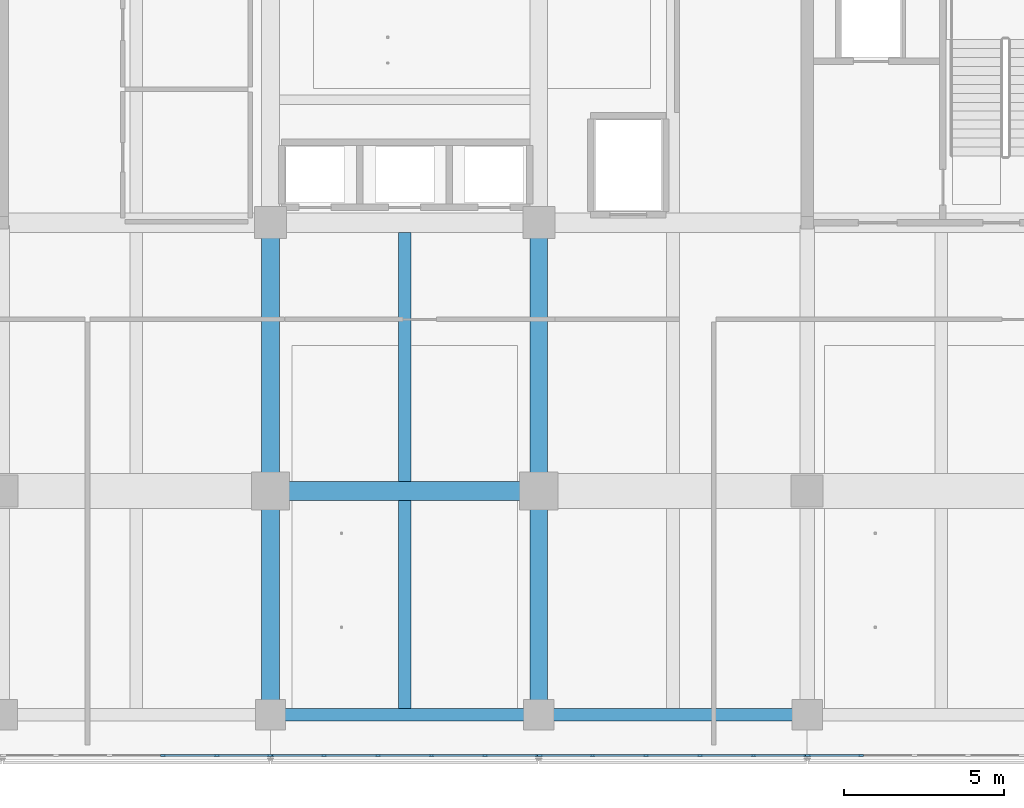
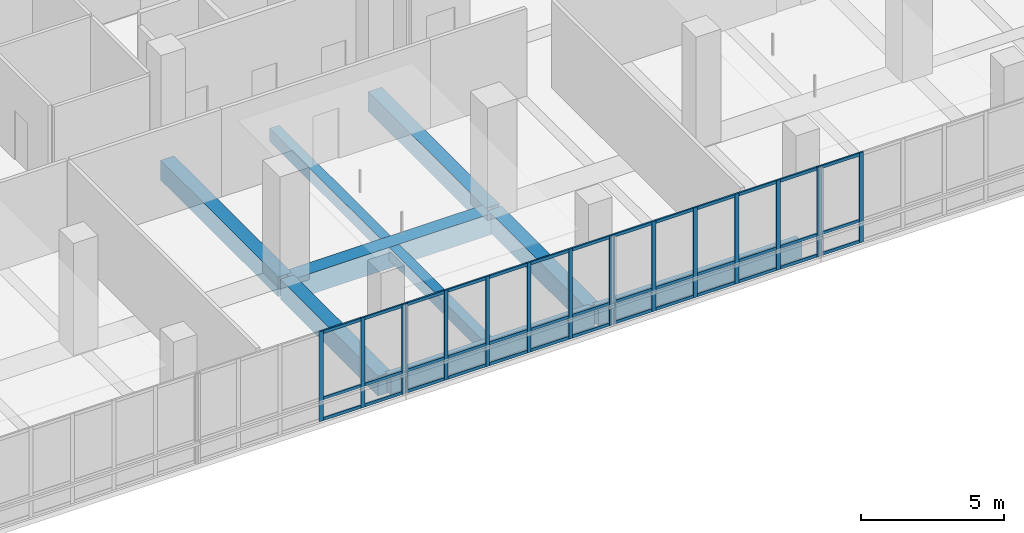
# One storey, part 17 of 122: 56 members, 9 beams, 4 elements without a shape of their own.
"""IFC4 building model written with IfcOpenShell, lengths in metres."""

from ifc_helpers import new_model, si_unit, direction, frame, origin, origin_2d, place, context, subcontext, project, spatial, rectangle, extrude, material, layer, layer_set, material_profile, profile_set, type_object, element, aggregate, save


model = new_model("IFC4")

# Units and contexts
model_context = context("Model", 3, precision=1e-05, world=origin(), true_north=direction((0.0, 1.0)))
body_context = subcontext(model_context, "Body", "Model", "MODEL_VIEW")
ifc_project = project(units=[si_unit("LENGTHUNIT", "METRE"), si_unit("AREAUNIT", "SQUARE_METRE"), si_unit("VOLUMEUNIT", "CUBIC_METRE"), si_unit("PLANEANGLEUNIT", "RADIAN"), si_unit("MASSUNIT", "GRAM", prefix="KILO")], contexts=[model_context])

# Site, building, storey
site_placement = place(None, origin())
site = spatial("IfcSite", under=ifc_project, at=site_placement, CompositionType="ELEMENT")
building_placement = place(site_placement, origin())
building = spatial("IfcBuilding", under=site, at=building_placement, Name="Telukmera Botanical Conservatory", CompositionType="ELEMENT")
storey_placement = place(building_placement, frame((0.0, 0.0, 10.199951171875)))
storey = spatial("IfcBuildingStorey", under=building, at=storey_placement, Name="L02", CompositionType="ELEMENT", Elevation=10.199951171875)

# Beams
ifc_material_1 = material(Name="Concrete C40/50", Category="concrete")
ifc_material_profile_1 = material_profile(ifc_material_1, rectangle(XDim=0.39990234375, YDim=0.550048828125, at=origin_2d()), Name="RC 400x550")
ifc_profile_set_1 = profile_set([ifc_material_profile_1], Name="Concrete C40/50")
beam_type_1 = type_object("IfcBeamType", Name="Beam_B19", PredefinedType="JOIST", material=ifc_profile_set_1)
beam_1_placement = place(storey_placement, frame((79.800048828125, 10.800048828125, -0.27490234375), z_axis=(0.0, 1.0, 0.0), x_axis=(-1.0, 0.0, 0.0)))
element("IfcBeam", 1, at=beam_1_placement, inside=storey, type_object=beam_type_1, Name="Tower Secondary Floor Joist L02", PredefinedType="JOIST", context=body_context, shape_type="SweptSolid", body=[
    extrude(rectangle(XDim=0.39990234375, YDim=0.550048828125, at=origin_2d()), origin(), (0.0, 0.0, 1.0), 6.5),
])
beam_2_placement = place(storey_placement, frame((79.800048828125, 17.89990234375, -0.27490234375), z_axis=(0.0, 1.0, 0.0), x_axis=(-1.0, 0.0, 0.0)))
element("IfcBeam", 2, at=beam_2_placement, inside=storey, type_object=beam_type_1, Name="Tower Secondary Floor Joist L02", PredefinedType="JOIST", context=body_context, shape_type="SweptSolid", body=[
    extrude(rectangle(XDim=0.39990234375, YDim=0.550048828125, at=origin_2d()), origin(), (0.0, 0.0, 1.0), 7.800048828125),
])
ifc_material_profile_2 = material_profile(ifc_material_1, rectangle(XDim=0.60009765625, YDim=0.89990234375, at=origin_2d()), Name="RC 600x900")
ifc_profile_set_2 = profile_set([ifc_material_profile_2], Name="Concrete C40/50")
beam_type_2 = type_object("IfcBeamType", Name="Beam_B3", PredefinedType="BEAM", material=ifc_profile_set_2)
beam_3_placement = place(storey_placement, frame((75.679931640625, 17.60009765625, -0.449951171875), z_axis=(1.0, 0.0, 0.0), x_axis=(0.0, 1.0, 0.0)))
element("IfcBeam", 3, at=beam_3_placement, inside=storey, type_object=beam_type_2, Name="Tower Grid Beam L02", PredefinedType="BEAM", context=body_context, shape_type="SweptSolid", body=[
    extrude(rectangle(XDim=0.60009765625, YDim=0.89990234375, at=origin_2d()), origin(), (0.0, 0.0, 1.0), 8.239990234375),
])
ifc_material_profile_3 = material_profile(ifc_material_1, rectangle(XDim=0.550048828125, YDim=0.85009765625, at=origin_2d()), Name="RC 550x850")
ifc_profile_set_3 = profile_set([ifc_material_profile_3], Name="Concrete C40/50")
beam_type_3 = type_object("IfcBeamType", Name="Beam_B4", PredefinedType="BEAM", material=ifc_profile_set_3)
beam_4_placement = place(storey_placement, frame((75.60009765625, 10.679931640625, -0.425048828125), z_axis=(0.0, 1.0, 0.0), x_axis=(-1.0, 0.0, 0.0)))
element("IfcBeam", 4, at=beam_4_placement, inside=storey, type_object=beam_type_3, Name="Tower Transverse Beam L02", PredefinedType="BEAM", context=body_context, shape_type="SweptSolid", body=[
    extrude(rectangle(XDim=0.550048828125, YDim=0.85009765625, at=origin_2d()), origin(), (0.0, 0.0, 1.0), 6.840087890625),
])
beam_5_placement = place(storey_placement, frame((75.60009765625, 17.679931640625, -0.425048828125), z_axis=(0.0, 1.0, 0.0), x_axis=(-1.0, 0.0, 0.0)))
element("IfcBeam", 5, at=beam_5_placement, inside=storey, type_object=beam_type_3, Name="Tower Transverse Beam L02", PredefinedType="BEAM", context=body_context, shape_type="SweptSolid", body=[
    extrude(rectangle(XDim=0.550048828125, YDim=0.85009765625, at=origin_2d()), origin(), (0.0, 0.0, 1.0), 8.239990234375),
])
beam_6_placement = place(storey_placement, frame((84.0, 10.679931640625, -0.425048828125), z_axis=(0.0, 1.0, 0.0), x_axis=(-1.0, 0.0, 0.0)))
element("IfcBeam", 6, at=beam_6_placement, inside=storey, type_object=beam_type_3, Name="Tower Transverse Beam L02", PredefinedType="BEAM", context=body_context, shape_type="SweptSolid", body=[
    extrude(rectangle(XDim=0.550048828125, YDim=0.85009765625, at=origin_2d()), origin(), (0.0, 0.0, 1.0), 6.840087890625),
])
beam_7_placement = place(storey_placement, frame((84.0, 17.679931640625, -0.425048828125), z_axis=(0.0, 1.0, 0.0), x_axis=(-1.0, 0.0, 0.0)))
element("IfcBeam", 7, at=beam_7_placement, inside=storey, type_object=beam_type_3, Name="Tower Transverse Beam L02", PredefinedType="BEAM", context=body_context, shape_type="SweptSolid", body=[
    extrude(rectangle(XDim=0.550048828125, YDim=0.85009765625, at=origin_2d()), origin(), (0.0, 0.0, 1.0), 8.239990234375),
])
ifc_material_2 = material(Name="Precast concrete C40/50", Category="concrete")
ifc_material_profile_4 = material_profile(ifc_material_2, rectangle(XDim=0.39990234375, YDim=0.75, at=origin_2d()), Name="PC 400x750")
ifc_profile_set_4 = profile_set([ifc_material_profile_4], Name="Precast concrete C40/50")
beam_type_4 = type_object("IfcBeamType", Name="Beam_SP1", PredefinedType="SPANDREL", material=ifc_profile_set_4)
for number, where, z_axis, x_axis, name in (
    (8, (75.679931640625, 10.60009765625, -0.375), (1.0, 0.0, 0.0), (0.0, 1.0, 0.0), "Tower Grid Beam L02"),
    (9, (84.080078125, 10.60009765625, -0.375), (1.0, 0.0, 0.0), (0.0, 1.0, 0.0), "Tower Grid Beam L02"),
):
    element("IfcBeam", number, at=place(storey_placement, frame(where, z_axis=z_axis, x_axis=x_axis)), inside=storey, type_object=beam_type_4, Name=name, PredefinedType="SPANDREL", context=body_context, shape_type="SweptSolid", body=[
        extrude(rectangle(XDim=0.39990234375, YDim=0.75, at=origin_2d()), origin(), (0.0, 0.0, 1.0), 8.239990234375),
    ])

# Curtain wall, members
ifc_material_3 = material(Name="Anodised aluminium 6063-T6", Category="aluminium")
ifc_layer = layer(ifc_material_3, 0.179931640625)
ifc_layer_set = layer_set([ifc_layer], Name="Anodised aluminium 6063-T6")
curtain_wall_type = type_object("IfcCurtainWallType", Name="Tower Reference Library Curtain Wall", PredefinedType="USERDEFINED", material=ifc_layer_set)
curtain_wall_1_placement = place(storey_placement, origin())
curtain_wall_1 = element("IfcCurtainWall", 10, at=curtain_wall_1_placement, inside=storey, type_object=curtain_wall_type, Name="Unitised Curtain Wall CW13 V4:L02:S3", ObjectType="UNITISED CURTAIN WALL", PredefinedType="USERDEFINED")
ifc_material_profile_5 = material_profile(ifc_material_3, rectangle(XDim=0.06494140625, YDim=0.159912109375, at=origin_2d()), Name="ALU MULL 65x160")
ifc_profile_set_5 = profile_set([ifc_material_profile_5], Name="Anodised aluminium 6063-T6")
member_type_1 = type_object("IfcMemberType", Name="Curtain Wall Extruded Mullion 65x160", PredefinedType="MULLION", material=ifc_profile_set_5)
member_1_placement = place(storey_placement, frame((72.239501953125, 9.320068359375, 0.0), z_axis=(0.0, 0.0, 1.0), x_axis=(0.0, 1.0, 0.0)))
member_1 = element("IfcMember", 11, at=member_1_placement, type_object=member_type_1, Name="CW13 mullion 4", PredefinedType="MULLION", context=body_context, shape_type="SweptSolid", body=[
    extrude(rectangle(XDim=0.06494140625, YDim=0.159912109375, at=origin_2d()), origin(), (0.0, 0.0, 1.0), 3.85009765625),
])
member_2_placement = place(storey_placement, frame((73.918701171875, 9.320068359375, 0.0), z_axis=(0.0, 0.0, 1.0), x_axis=(0.0, 1.0, 0.0)))
member_2 = element("IfcMember", 12, at=member_2_placement, type_object=member_type_1, Name="CW13 mullion 5", PredefinedType="MULLION", context=body_context, shape_type="SweptSolid", body=[
    extrude(rectangle(XDim=0.06494140625, YDim=0.159912109375, at=origin_2d()), origin(), (0.0, 0.0, 1.0), 3.85009765625),
])
member_3_placement = place(storey_placement, frame((75.5654296875, 9.320068359375, 0.0), z_axis=(0.0, 0.0, 1.0), x_axis=(0.0, 1.0, 0.0)))
member_3 = element("IfcMember", 13, at=member_3_placement, type_object=member_type_1, Name="CW13 mullion 6", PredefinedType="MULLION", context=body_context, shape_type="SweptSolid", body=[
    extrude(rectangle(XDim=0.06494140625, YDim=0.159912109375, at=origin_2d()), origin(), (0.0, 0.0, 1.0), 3.85009765625),
])

curtain_wall_2_placement = place(storey_placement, origin())
curtain_wall_2 = element("IfcCurtainWall", 14, at=curtain_wall_2_placement, inside=storey, type_object=curtain_wall_type, Name="Unitised Curtain Wall CW13 V4:L02:S4", ObjectType="UNITISED CURTAIN WALL", PredefinedType="USERDEFINED")
member_4_placement = place(storey_placement, frame((75.634521484375, 9.320068359375, 0.0), z_axis=(0.0, 0.0, 1.0), x_axis=(0.0, 1.0, 0.0)))
member_4 = element("IfcMember", 15, at=member_4_placement, type_object=member_type_1, Name="CW13 mullion 1", PredefinedType="MULLION", context=body_context, shape_type="SweptSolid", body=[
    extrude(rectangle(XDim=0.06494140625, YDim=0.159912109375, at=origin_2d()), origin(), (0.0, 0.0, 1.0), 3.85009765625),
])
member_5_placement = place(storey_placement, frame((77.28125, 9.320068359375, 0.0), z_axis=(0.0, 0.0, 1.0), x_axis=(0.0, 1.0, 0.0)))
member_5 = element("IfcMember", 16, at=member_5_placement, type_object=member_type_1, Name="CW13 mullion 2", PredefinedType="MULLION", context=body_context, shape_type="SweptSolid", body=[
    extrude(rectangle(XDim=0.06494140625, YDim=0.159912109375, at=origin_2d()), origin(), (0.0, 0.0, 1.0), 3.85009765625),
])
member_6_placement = place(storey_placement, frame((78.96044921875, 9.320068359375, 0.0), z_axis=(0.0, 0.0, 1.0), x_axis=(0.0, 1.0, 0.0)))
member_6 = element("IfcMember", 17, at=member_6_placement, type_object=member_type_1, Name="CW13 mullion 3", PredefinedType="MULLION", context=body_context, shape_type="SweptSolid", body=[
    extrude(rectangle(XDim=0.06494140625, YDim=0.159912109375, at=origin_2d()), origin(), (0.0, 0.0, 1.0), 3.85009765625),
])
member_7_placement = place(storey_placement, frame((80.6396484375, 9.320068359375, 0.0), z_axis=(0.0, 0.0, 1.0), x_axis=(0.0, 1.0, 0.0)))
member_7 = element("IfcMember", 18, at=member_7_placement, type_object=member_type_1, Name="CW13 mullion 4", PredefinedType="MULLION", context=body_context, shape_type="SweptSolid", body=[
    extrude(rectangle(XDim=0.06494140625, YDim=0.159912109375, at=origin_2d()), origin(), (0.0, 0.0, 1.0), 3.85009765625),
])
member_8_placement = place(storey_placement, frame((82.31884765625, 9.320068359375, 0.0), z_axis=(0.0, 0.0, 1.0), x_axis=(0.0, 1.0, 0.0)))
member_8 = element("IfcMember", 19, at=member_8_placement, type_object=member_type_1, Name="CW13 mullion 5", PredefinedType="MULLION", context=body_context, shape_type="SweptSolid", body=[
    extrude(rectangle(XDim=0.06494140625, YDim=0.159912109375, at=origin_2d()), origin(), (0.0, 0.0, 1.0), 3.85009765625),
])
member_9_placement = place(storey_placement, frame((83.965576171875, 9.320068359375, 0.0), z_axis=(0.0, 0.0, 1.0), x_axis=(0.0, 1.0, 0.0)))
member_9 = element("IfcMember", 20, at=member_9_placement, type_object=member_type_1, Name="CW13 mullion 6", PredefinedType="MULLION", context=body_context, shape_type="SweptSolid", body=[
    extrude(rectangle(XDim=0.06494140625, YDim=0.159912109375, at=origin_2d()), origin(), (0.0, 0.0, 1.0), 3.85009765625),
])

curtain_wall_3_placement = place(storey_placement, origin())
curtain_wall_3 = element("IfcCurtainWall", 21, at=curtain_wall_3_placement, inside=storey, type_object=curtain_wall_type, Name="Unitised Curtain Wall CW13 V4:L02:S5", ObjectType="UNITISED CURTAIN WALL", PredefinedType="USERDEFINED")
member_10_placement = place(storey_placement, frame((84.034423828125, 9.320068359375, 0.0), z_axis=(0.0, 0.0, 1.0), x_axis=(0.0, 1.0, 0.0)))
member_10 = element("IfcMember", 22, at=member_10_placement, type_object=member_type_1, Name="CW13 mullion 1", PredefinedType="MULLION", context=body_context, shape_type="SweptSolid", body=[
    extrude(rectangle(XDim=0.06494140625, YDim=0.159912109375, at=origin_2d()), origin(), (0.0, 0.0, 1.0), 3.85009765625),
])
member_11_placement = place(storey_placement, frame((85.68115234375, 9.320068359375, 0.0), z_axis=(0.0, 0.0, 1.0), x_axis=(0.0, 1.0, 0.0)))
member_11 = element("IfcMember", 23, at=member_11_placement, type_object=member_type_1, Name="CW13 mullion 2", PredefinedType="MULLION", context=body_context, shape_type="SweptSolid", body=[
    extrude(rectangle(XDim=0.06494140625, YDim=0.159912109375, at=origin_2d()), origin(), (0.0, 0.0, 1.0), 3.85009765625),
])
member_12_placement = place(storey_placement, frame((87.3603515625, 9.320068359375, 0.0), z_axis=(0.0, 0.0, 1.0), x_axis=(0.0, 1.0, 0.0)))
member_12 = element("IfcMember", 24, at=member_12_placement, type_object=member_type_1, Name="CW13 mullion 3", PredefinedType="MULLION", context=body_context, shape_type="SweptSolid", body=[
    extrude(rectangle(XDim=0.06494140625, YDim=0.159912109375, at=origin_2d()), origin(), (0.0, 0.0, 1.0), 3.85009765625),
])
member_13_placement = place(storey_placement, frame((89.03955078125, 9.320068359375, 0.0), z_axis=(0.0, 0.0, 1.0), x_axis=(0.0, 1.0, 0.0)))
member_13 = element("IfcMember", 25, at=member_13_placement, type_object=member_type_1, Name="CW13 mullion 4", PredefinedType="MULLION", context=body_context, shape_type="SweptSolid", body=[
    extrude(rectangle(XDim=0.06494140625, YDim=0.159912109375, at=origin_2d()), origin(), (0.0, 0.0, 1.0), 3.85009765625),
])
member_14_placement = place(storey_placement, frame((90.71875, 9.320068359375, 0.0), z_axis=(0.0, 0.0, 1.0), x_axis=(0.0, 1.0, 0.0)))
member_14 = element("IfcMember", 26, at=member_14_placement, type_object=member_type_1, Name="CW13 mullion 5", PredefinedType="MULLION", context=body_context, shape_type="SweptSolid", body=[
    extrude(rectangle(XDim=0.06494140625, YDim=0.159912109375, at=origin_2d()), origin(), (0.0, 0.0, 1.0), 3.85009765625),
])
member_15_placement = place(storey_placement, frame((92.365478515625, 9.320068359375, 0.0), z_axis=(0.0, 0.0, 1.0), x_axis=(0.0, 1.0, 0.0)))
member_15 = element("IfcMember", 27, at=member_15_placement, type_object=member_type_1, Name="CW13 mullion 6", PredefinedType="MULLION", context=body_context, shape_type="SweptSolid", body=[
    extrude(rectangle(XDim=0.06494140625, YDim=0.159912109375, at=origin_2d()), origin(), (0.0, 0.0, 1.0), 3.85009765625),
])

curtain_wall_4_placement = place(storey_placement, origin())
curtain_wall_4 = element("IfcCurtainWall", 28, at=curtain_wall_4_placement, inside=storey, type_object=curtain_wall_type, Name="Unitised Curtain Wall CW13 V4:L02:S6", ObjectType="UNITISED CURTAIN WALL", PredefinedType="USERDEFINED")
member_16_placement = place(storey_placement, frame((92.4345703125, 9.320068359375, 0.0), z_axis=(0.0, 0.0, 1.0), x_axis=(0.0, 1.0, 0.0)))
member_16 = element("IfcMember", 29, at=member_16_placement, type_object=member_type_1, Name="CW13 mullion 1", PredefinedType="MULLION", context=body_context, shape_type="SweptSolid", body=[
    extrude(rectangle(XDim=0.06494140625, YDim=0.159912109375, at=origin_2d()), origin(), (0.0, 0.0, 1.0), 3.85009765625),
])
member_17_placement = place(storey_placement, frame((94.081298828125, 9.320068359375, 0.0), z_axis=(0.0, 0.0, 1.0), x_axis=(0.0, 1.0, 0.0)))
member_17 = element("IfcMember", 30, at=member_17_placement, type_object=member_type_1, Name="CW13 mullion 2", PredefinedType="MULLION", context=body_context, shape_type="SweptSolid", body=[
    extrude(rectangle(XDim=0.06494140625, YDim=0.159912109375, at=origin_2d()), origin(), (0.0, 0.0, 1.0), 3.85009765625),
])

# Member
ifc_material_profile_6 = material_profile(ifc_material_3, rectangle(XDim=0.06494140625, YDim=0.1298828125, at=origin_2d()), Name="ALU TRAN 65x130")
ifc_profile_set_6 = profile_set([ifc_material_profile_6], Name="Anodised aluminium 6063-T6")
member_type_2 = type_object("IfcMemberType", Name="Curtain Wall Extruded Transom 65x130", PredefinedType="USERDEFINED", material=ifc_profile_set_6)
member_18_placement = place(storey_placement, frame((72.272216796875, 9.320068359375, 0.06494140625), z_axis=(1.0, 0.0, 0.0), x_axis=(0.0, 1.0, 0.0)))
member_18 = element("IfcMember", 31, at=member_18_placement, type_object=member_type_2, Name="CW13 transom 4.1", ObjectType="TRANSOM", PredefinedType="USERDEFINED", context=body_context, shape_type="SweptSolid", body=[
    extrude(rectangle(XDim=0.06494140625, YDim=0.1298828125, at=origin_2d()), origin(), (0.0, 0.0, 1.0), 1.614013671875),
])

member_19_placement = place(storey_placement, frame((72.272216796875, 9.320068359375, 0.949951171875), z_axis=(1.0, 0.0, 0.0), x_axis=(0.0, 1.0, 0.0)))
member_19 = element("IfcMember", 32, at=member_19_placement, type_object=member_type_2, Name="CW13 transom 4.2", ObjectType="TRANSOM", PredefinedType="USERDEFINED", context=body_context, shape_type="SweptSolid", body=[
    extrude(rectangle(XDim=0.06494140625, YDim=0.1298828125, at=origin_2d()), origin(), (0.0, 0.0, 1.0), 1.614013671875),
])

member_20_placement = place(storey_placement, frame((72.272216796875, 9.320068359375, 3.78515625), z_axis=(1.0, 0.0, 0.0), x_axis=(0.0, 1.0, 0.0)))
member_20 = element("IfcMember", 33, at=member_20_placement, type_object=member_type_2, Name="CW13 transom 4.3", ObjectType="TRANSOM", PredefinedType="USERDEFINED", context=body_context, shape_type="SweptSolid", body=[
    extrude(rectangle(XDim=0.06494140625, YDim=0.1298828125, at=origin_2d()), origin(), (0.0, 0.0, 1.0), 1.614013671875),
])

member_21_placement = place(storey_placement, frame((73.951416015625, 9.320068359375, 0.06494140625), z_axis=(1.0, 0.0, 0.0), x_axis=(0.0, 1.0, 0.0)))
member_21 = element("IfcMember", 34, at=member_21_placement, type_object=member_type_2, Name="CW13 transom 5.1", ObjectType="TRANSOM", PredefinedType="USERDEFINED", context=body_context, shape_type="SweptSolid", body=[
    extrude(rectangle(XDim=0.06494140625, YDim=0.1298828125, at=origin_2d()), origin(), (0.0, 0.0, 1.0), 1.58154296875),
])

member_22_placement = place(storey_placement, frame((73.951416015625, 9.320068359375, 0.949951171875), z_axis=(1.0, 0.0, 0.0), x_axis=(0.0, 1.0, 0.0)))
member_22 = element("IfcMember", 35, at=member_22_placement, type_object=member_type_2, Name="CW13 transom 5.2", ObjectType="TRANSOM", PredefinedType="USERDEFINED", context=body_context, shape_type="SweptSolid", body=[
    extrude(rectangle(XDim=0.06494140625, YDim=0.1298828125, at=origin_2d()), origin(), (0.0, 0.0, 1.0), 1.58154296875),
])

member_23_placement = place(storey_placement, frame((73.951416015625, 9.320068359375, 3.78515625), z_axis=(1.0, 0.0, 0.0), x_axis=(0.0, 1.0, 0.0)))
member_23 = element("IfcMember", 36, at=member_23_placement, type_object=member_type_2, Name="CW13 transom 5.3", ObjectType="TRANSOM", PredefinedType="USERDEFINED", context=body_context, shape_type="SweptSolid", body=[
    extrude(rectangle(XDim=0.06494140625, YDim=0.1298828125, at=origin_2d()), origin(), (0.0, 0.0, 1.0), 1.58154296875),
])

aggregate(curtain_wall_1, [member_1, member_2, member_3, member_18, member_19, member_20, member_21, member_22, member_23])

member_24_placement = place(storey_placement, frame((75.6669921875, 9.320068359375, 0.06494140625), z_axis=(1.0, 0.0, 0.0), x_axis=(0.0, 1.0, 0.0)))
member_24 = element("IfcMember", 37, at=member_24_placement, type_object=member_type_2, Name="CW13 transom 1.1", ObjectType="TRANSOM", PredefinedType="USERDEFINED", context=body_context, shape_type="SweptSolid", body=[
    extrude(rectangle(XDim=0.06494140625, YDim=0.1298828125, at=origin_2d()), origin(), (0.0, 0.0, 1.0), 1.581787109375),
])

member_25_placement = place(storey_placement, frame((75.6669921875, 9.320068359375, 0.949951171875), z_axis=(1.0, 0.0, 0.0), x_axis=(0.0, 1.0, 0.0)))
member_25 = element("IfcMember", 38, at=member_25_placement, type_object=member_type_2, Name="CW13 transom 1.2", ObjectType="TRANSOM", PredefinedType="USERDEFINED", context=body_context, shape_type="SweptSolid", body=[
    extrude(rectangle(XDim=0.06494140625, YDim=0.1298828125, at=origin_2d()), origin(), (0.0, 0.0, 1.0), 1.581787109375),
])

member_26_placement = place(storey_placement, frame((75.6669921875, 9.320068359375, 3.78515625), z_axis=(1.0, 0.0, 0.0), x_axis=(0.0, 1.0, 0.0)))
member_26 = element("IfcMember", 39, at=member_26_placement, type_object=member_type_2, Name="CW13 transom 1.3", ObjectType="TRANSOM", PredefinedType="USERDEFINED", context=body_context, shape_type="SweptSolid", body=[
    extrude(rectangle(XDim=0.06494140625, YDim=0.1298828125, at=origin_2d()), origin(), (0.0, 0.0, 1.0), 1.581787109375),
])

member_27_placement = place(storey_placement, frame((77.313720703125, 9.320068359375, 0.06494140625), z_axis=(1.0, 0.0, 0.0), x_axis=(0.0, 1.0, 0.0)))
member_27 = element("IfcMember", 40, at=member_27_placement, type_object=member_type_2, Name="CW13 transom 2.1", ObjectType="TRANSOM", PredefinedType="USERDEFINED", context=body_context, shape_type="SweptSolid", body=[
    extrude(rectangle(XDim=0.06494140625, YDim=0.1298828125, at=origin_2d()), origin(), (0.0, 0.0, 1.0), 1.6142578125),
])

member_28_placement = place(storey_placement, frame((77.313720703125, 9.320068359375, 0.949951171875), z_axis=(1.0, 0.0, 0.0), x_axis=(0.0, 1.0, 0.0)))
member_28 = element("IfcMember", 41, at=member_28_placement, type_object=member_type_2, Name="CW13 transom 2.2", ObjectType="TRANSOM", PredefinedType="USERDEFINED", context=body_context, shape_type="SweptSolid", body=[
    extrude(rectangle(XDim=0.06494140625, YDim=0.1298828125, at=origin_2d()), origin(), (0.0, 0.0, 1.0), 1.6142578125),
])

member_29_placement = place(storey_placement, frame((77.313720703125, 9.320068359375, 3.78515625), z_axis=(1.0, 0.0, 0.0), x_axis=(0.0, 1.0, 0.0)))
member_29 = element("IfcMember", 42, at=member_29_placement, type_object=member_type_2, Name="CW13 transom 2.3", ObjectType="TRANSOM", PredefinedType="USERDEFINED", context=body_context, shape_type="SweptSolid", body=[
    extrude(rectangle(XDim=0.06494140625, YDim=0.1298828125, at=origin_2d()), origin(), (0.0, 0.0, 1.0), 1.6142578125),
])

member_30_placement = place(storey_placement, frame((78.992919921875, 9.320068359375, 0.06494140625), z_axis=(1.0, 0.0, 0.0), x_axis=(0.0, 1.0, 0.0)))
member_30 = element("IfcMember", 43, at=member_30_placement, type_object=member_type_2, Name="CW13 transom 3.1", ObjectType="TRANSOM", PredefinedType="USERDEFINED", context=body_context, shape_type="SweptSolid", body=[
    extrude(rectangle(XDim=0.06494140625, YDim=0.1298828125, at=origin_2d()), origin(), (0.0, 0.0, 1.0), 1.6142578125),
])

member_31_placement = place(storey_placement, frame((78.992919921875, 9.320068359375, 0.949951171875), z_axis=(1.0, 0.0, 0.0), x_axis=(0.0, 1.0, 0.0)))
member_31 = element("IfcMember", 44, at=member_31_placement, type_object=member_type_2, Name="CW13 transom 3.2", ObjectType="TRANSOM", PredefinedType="USERDEFINED", context=body_context, shape_type="SweptSolid", body=[
    extrude(rectangle(XDim=0.06494140625, YDim=0.1298828125, at=origin_2d()), origin(), (0.0, 0.0, 1.0), 1.6142578125),
])

member_32_placement = place(storey_placement, frame((78.992919921875, 9.320068359375, 3.78515625), z_axis=(1.0, 0.0, 0.0), x_axis=(0.0, 1.0, 0.0)))
member_32 = element("IfcMember", 45, at=member_32_placement, type_object=member_type_2, Name="CW13 transom 3.3", ObjectType="TRANSOM", PredefinedType="USERDEFINED", context=body_context, shape_type="SweptSolid", body=[
    extrude(rectangle(XDim=0.06494140625, YDim=0.1298828125, at=origin_2d()), origin(), (0.0, 0.0, 1.0), 1.6142578125),
])

member_33_placement = place(storey_placement, frame((80.672119140625, 9.320068359375, 0.06494140625), z_axis=(1.0, 0.0, 0.0), x_axis=(0.0, 1.0, 0.0)))
member_33 = element("IfcMember", 46, at=member_33_placement, type_object=member_type_2, Name="CW13 transom 4.1", ObjectType="TRANSOM", PredefinedType="USERDEFINED", context=body_context, shape_type="SweptSolid", body=[
    extrude(rectangle(XDim=0.06494140625, YDim=0.1298828125, at=origin_2d()), origin(), (0.0, 0.0, 1.0), 1.6142578125),
])

member_34_placement = place(storey_placement, frame((80.672119140625, 9.320068359375, 0.949951171875), z_axis=(1.0, 0.0, 0.0), x_axis=(0.0, 1.0, 0.0)))
member_34 = element("IfcMember", 47, at=member_34_placement, type_object=member_type_2, Name="CW13 transom 4.2", ObjectType="TRANSOM", PredefinedType="USERDEFINED", context=body_context, shape_type="SweptSolid", body=[
    extrude(rectangle(XDim=0.06494140625, YDim=0.1298828125, at=origin_2d()), origin(), (0.0, 0.0, 1.0), 1.6142578125),
])

member_35_placement = place(storey_placement, frame((80.672119140625, 9.320068359375, 3.78515625), z_axis=(1.0, 0.0, 0.0), x_axis=(0.0, 1.0, 0.0)))
member_35 = element("IfcMember", 48, at=member_35_placement, type_object=member_type_2, Name="CW13 transom 4.3", ObjectType="TRANSOM", PredefinedType="USERDEFINED", context=body_context, shape_type="SweptSolid", body=[
    extrude(rectangle(XDim=0.06494140625, YDim=0.1298828125, at=origin_2d()), origin(), (0.0, 0.0, 1.0), 1.6142578125),
])

member_36_placement = place(storey_placement, frame((82.351318359375, 9.320068359375, 0.06494140625), z_axis=(1.0, 0.0, 0.0), x_axis=(0.0, 1.0, 0.0)))
member_36 = element("IfcMember", 49, at=member_36_placement, type_object=member_type_2, Name="CW13 transom 5.1", ObjectType="TRANSOM", PredefinedType="USERDEFINED", context=body_context, shape_type="SweptSolid", body=[
    extrude(rectangle(XDim=0.06494140625, YDim=0.1298828125, at=origin_2d()), origin(), (0.0, 0.0, 1.0), 1.581787109375),
])

member_37_placement = place(storey_placement, frame((82.351318359375, 9.320068359375, 0.949951171875), z_axis=(1.0, 0.0, 0.0), x_axis=(0.0, 1.0, 0.0)))
member_37 = element("IfcMember", 50, at=member_37_placement, type_object=member_type_2, Name="CW13 transom 5.2", ObjectType="TRANSOM", PredefinedType="USERDEFINED", context=body_context, shape_type="SweptSolid", body=[
    extrude(rectangle(XDim=0.06494140625, YDim=0.1298828125, at=origin_2d()), origin(), (0.0, 0.0, 1.0), 1.581787109375),
])

member_38_placement = place(storey_placement, frame((82.351318359375, 9.320068359375, 3.78515625), z_axis=(1.0, 0.0, 0.0), x_axis=(0.0, 1.0, 0.0)))
member_38 = element("IfcMember", 51, at=member_38_placement, type_object=member_type_2, Name="CW13 transom 5.3", ObjectType="TRANSOM", PredefinedType="USERDEFINED", context=body_context, shape_type="SweptSolid", body=[
    extrude(rectangle(XDim=0.06494140625, YDim=0.1298828125, at=origin_2d()), origin(), (0.0, 0.0, 1.0), 1.581787109375),
])

aggregate(curtain_wall_2, [member_4, member_5, member_6, member_7, member_8, member_9, member_24, member_25, member_26, member_27, member_28, member_29, member_30, member_31, member_32, member_33, member_34, member_35, member_36, member_37, member_38])

member_39_placement = place(storey_placement, frame((84.06689453125, 9.320068359375, 0.06494140625), z_axis=(1.0, 0.0, 0.0), x_axis=(0.0, 1.0, 0.0)))
member_39 = element("IfcMember", 52, at=member_39_placement, type_object=member_type_2, Name="CW13 transom 1.1", ObjectType="TRANSOM", PredefinedType="USERDEFINED", context=body_context, shape_type="SweptSolid", body=[
    extrude(rectangle(XDim=0.06494140625, YDim=0.1298828125, at=origin_2d()), origin(), (0.0, 0.0, 1.0), 1.581787109375),
])

member_40_placement = place(storey_placement, frame((84.06689453125, 9.320068359375, 0.949951171875), z_axis=(1.0, 0.0, 0.0), x_axis=(0.0, 1.0, 0.0)))
member_40 = element("IfcMember", 53, at=member_40_placement, type_object=member_type_2, Name="CW13 transom 1.2", ObjectType="TRANSOM", PredefinedType="USERDEFINED", context=body_context, shape_type="SweptSolid", body=[
    extrude(rectangle(XDim=0.06494140625, YDim=0.1298828125, at=origin_2d()), origin(), (0.0, 0.0, 1.0), 1.581787109375),
])

member_41_placement = place(storey_placement, frame((84.06689453125, 9.320068359375, 3.78515625), z_axis=(1.0, 0.0, 0.0), x_axis=(0.0, 1.0, 0.0)))
member_41 = element("IfcMember", 54, at=member_41_placement, type_object=member_type_2, Name="CW13 transom 1.3", ObjectType="TRANSOM", PredefinedType="USERDEFINED", context=body_context, shape_type="SweptSolid", body=[
    extrude(rectangle(XDim=0.06494140625, YDim=0.1298828125, at=origin_2d()), origin(), (0.0, 0.0, 1.0), 1.581787109375),
])

member_42_placement = place(storey_placement, frame((85.713623046875, 9.320068359375, 0.06494140625), z_axis=(1.0, 0.0, 0.0), x_axis=(0.0, 1.0, 0.0)))
member_42 = element("IfcMember", 55, at=member_42_placement, type_object=member_type_2, Name="CW13 transom 2.1", ObjectType="TRANSOM", PredefinedType="USERDEFINED", context=body_context, shape_type="SweptSolid", body=[
    extrude(rectangle(XDim=0.06494140625, YDim=0.1298828125, at=origin_2d()), origin(), (0.0, 0.0, 1.0), 1.6142578125),
])

member_43_placement = place(storey_placement, frame((85.713623046875, 9.320068359375, 0.949951171875), z_axis=(1.0, 0.0, 0.0), x_axis=(0.0, 1.0, 0.0)))
member_43 = element("IfcMember", 56, at=member_43_placement, type_object=member_type_2, Name="CW13 transom 2.2", ObjectType="TRANSOM", PredefinedType="USERDEFINED", context=body_context, shape_type="SweptSolid", body=[
    extrude(rectangle(XDim=0.06494140625, YDim=0.1298828125, at=origin_2d()), origin(), (0.0, 0.0, 1.0), 1.6142578125),
])

member_44_placement = place(storey_placement, frame((85.713623046875, 9.320068359375, 3.78515625), z_axis=(1.0, 0.0, 0.0), x_axis=(0.0, 1.0, 0.0)))
member_44 = element("IfcMember", 57, at=member_44_placement, type_object=member_type_2, Name="CW13 transom 2.3", ObjectType="TRANSOM", PredefinedType="USERDEFINED", context=body_context, shape_type="SweptSolid", body=[
    extrude(rectangle(XDim=0.06494140625, YDim=0.1298828125, at=origin_2d()), origin(), (0.0, 0.0, 1.0), 1.6142578125),
])

member_45_placement = place(storey_placement, frame((87.392822265625, 9.320068359375, 0.06494140625), z_axis=(1.0, 0.0, 0.0), x_axis=(0.0, 1.0, 0.0)))
member_45 = element("IfcMember", 58, at=member_45_placement, type_object=member_type_2, Name="CW13 transom 3.1", ObjectType="TRANSOM", PredefinedType="USERDEFINED", context=body_context, shape_type="SweptSolid", body=[
    extrude(rectangle(XDim=0.06494140625, YDim=0.1298828125, at=origin_2d()), origin(), (0.0, 0.0, 1.0), 1.6142578125),
])

member_46_placement = place(storey_placement, frame((87.392822265625, 9.320068359375, 0.949951171875), z_axis=(1.0, 0.0, 0.0), x_axis=(0.0, 1.0, 0.0)))
member_46 = element("IfcMember", 59, at=member_46_placement, type_object=member_type_2, Name="CW13 transom 3.2", ObjectType="TRANSOM", PredefinedType="USERDEFINED", context=body_context, shape_type="SweptSolid", body=[
    extrude(rectangle(XDim=0.06494140625, YDim=0.1298828125, at=origin_2d()), origin(), (0.0, 0.0, 1.0), 1.6142578125),
])

member_47_placement = place(storey_placement, frame((87.392822265625, 9.320068359375, 3.78515625), z_axis=(1.0, 0.0, 0.0), x_axis=(0.0, 1.0, 0.0)))
member_47 = element("IfcMember", 60, at=member_47_placement, type_object=member_type_2, Name="CW13 transom 3.3", ObjectType="TRANSOM", PredefinedType="USERDEFINED", context=body_context, shape_type="SweptSolid", body=[
    extrude(rectangle(XDim=0.06494140625, YDim=0.1298828125, at=origin_2d()), origin(), (0.0, 0.0, 1.0), 1.6142578125),
])

member_48_placement = place(storey_placement, frame((89.072021484375, 9.320068359375, 0.06494140625), z_axis=(1.0, 0.0, 0.0), x_axis=(0.0, 1.0, 0.0)))
member_48 = element("IfcMember", 61, at=member_48_placement, type_object=member_type_2, Name="CW13 transom 4.1", ObjectType="TRANSOM", PredefinedType="USERDEFINED", context=body_context, shape_type="SweptSolid", body=[
    extrude(rectangle(XDim=0.06494140625, YDim=0.1298828125, at=origin_2d()), origin(), (0.0, 0.0, 1.0), 1.6142578125),
])

member_49_placement = place(storey_placement, frame((89.072021484375, 9.320068359375, 0.949951171875), z_axis=(1.0, 0.0, 0.0), x_axis=(0.0, 1.0, 0.0)))
member_49 = element("IfcMember", 62, at=member_49_placement, type_object=member_type_2, Name="CW13 transom 4.2", ObjectType="TRANSOM", PredefinedType="USERDEFINED", context=body_context, shape_type="SweptSolid", body=[
    extrude(rectangle(XDim=0.06494140625, YDim=0.1298828125, at=origin_2d()), origin(), (0.0, 0.0, 1.0), 1.6142578125),
])

member_50_placement = place(storey_placement, frame((89.072021484375, 9.320068359375, 3.78515625), z_axis=(1.0, 0.0, 0.0), x_axis=(0.0, 1.0, 0.0)))
member_50 = element("IfcMember", 63, at=member_50_placement, type_object=member_type_2, Name="CW13 transom 4.3", ObjectType="TRANSOM", PredefinedType="USERDEFINED", context=body_context, shape_type="SweptSolid", body=[
    extrude(rectangle(XDim=0.06494140625, YDim=0.1298828125, at=origin_2d()), origin(), (0.0, 0.0, 1.0), 1.6142578125),
])

member_51_placement = place(storey_placement, frame((90.751220703125, 9.320068359375, 0.06494140625), z_axis=(1.0, 0.0, 0.0), x_axis=(0.0, 1.0, 0.0)))
member_51 = element("IfcMember", 64, at=member_51_placement, type_object=member_type_2, Name="CW13 transom 5.1", ObjectType="TRANSOM", PredefinedType="USERDEFINED", context=body_context, shape_type="SweptSolid", body=[
    extrude(rectangle(XDim=0.06494140625, YDim=0.1298828125, at=origin_2d()), origin(), (0.0, 0.0, 1.0), 1.581787109375),
])

member_52_placement = place(storey_placement, frame((90.751220703125, 9.320068359375, 0.949951171875), z_axis=(1.0, 0.0, 0.0), x_axis=(0.0, 1.0, 0.0)))
member_52 = element("IfcMember", 65, at=member_52_placement, type_object=member_type_2, Name="CW13 transom 5.2", ObjectType="TRANSOM", PredefinedType="USERDEFINED", context=body_context, shape_type="SweptSolid", body=[
    extrude(rectangle(XDim=0.06494140625, YDim=0.1298828125, at=origin_2d()), origin(), (0.0, 0.0, 1.0), 1.581787109375),
])

member_53_placement = place(storey_placement, frame((90.751220703125, 9.320068359375, 3.78515625), z_axis=(1.0, 0.0, 0.0), x_axis=(0.0, 1.0, 0.0)))
member_53 = element("IfcMember", 66, at=member_53_placement, type_object=member_type_2, Name="CW13 transom 5.3", ObjectType="TRANSOM", PredefinedType="USERDEFINED", context=body_context, shape_type="SweptSolid", body=[
    extrude(rectangle(XDim=0.06494140625, YDim=0.1298828125, at=origin_2d()), origin(), (0.0, 0.0, 1.0), 1.581787109375),
])

aggregate(curtain_wall_3, [member_10, member_11, member_12, member_13, member_14, member_15, member_39, member_40, member_41, member_42, member_43, member_44, member_45, member_46, member_47, member_48, member_49, member_50, member_51, member_52, member_53])

member_54_placement = place(storey_placement, frame((92.467041015625, 9.320068359375, 0.06494140625), z_axis=(1.0, 0.0, 0.0), x_axis=(0.0, 1.0, 0.0)))
member_54 = element("IfcMember", 67, at=member_54_placement, type_object=member_type_2, Name="CW13 transom 1.1", ObjectType="TRANSOM", PredefinedType="USERDEFINED", context=body_context, shape_type="SweptSolid", body=[
    extrude(rectangle(XDim=0.06494140625, YDim=0.1298828125, at=origin_2d()), origin(), (0.0, 0.0, 1.0), 1.58154296875),
])

member_55_placement = place(storey_placement, frame((92.467041015625, 9.320068359375, 0.949951171875), z_axis=(1.0, 0.0, 0.0), x_axis=(0.0, 1.0, 0.0)))
member_55 = element("IfcMember", 68, at=member_55_placement, type_object=member_type_2, Name="CW13 transom 1.2", ObjectType="TRANSOM", PredefinedType="USERDEFINED", context=body_context, shape_type="SweptSolid", body=[
    extrude(rectangle(XDim=0.06494140625, YDim=0.1298828125, at=origin_2d()), origin(), (0.0, 0.0, 1.0), 1.58154296875),
])

member_56_placement = place(storey_placement, frame((92.467041015625, 9.320068359375, 3.78515625), z_axis=(1.0, 0.0, 0.0), x_axis=(0.0, 1.0, 0.0)))
member_56 = element("IfcMember", 69, at=member_56_placement, type_object=member_type_2, Name="CW13 transom 1.3", ObjectType="TRANSOM", PredefinedType="USERDEFINED", context=body_context, shape_type="SweptSolid", body=[
    extrude(rectangle(XDim=0.06494140625, YDim=0.1298828125, at=origin_2d()), origin(), (0.0, 0.0, 1.0), 1.58154296875),
])

aggregate(curtain_wall_4, [member_16, member_17, member_54, member_55, member_56])

save(model, "model.ifc")
